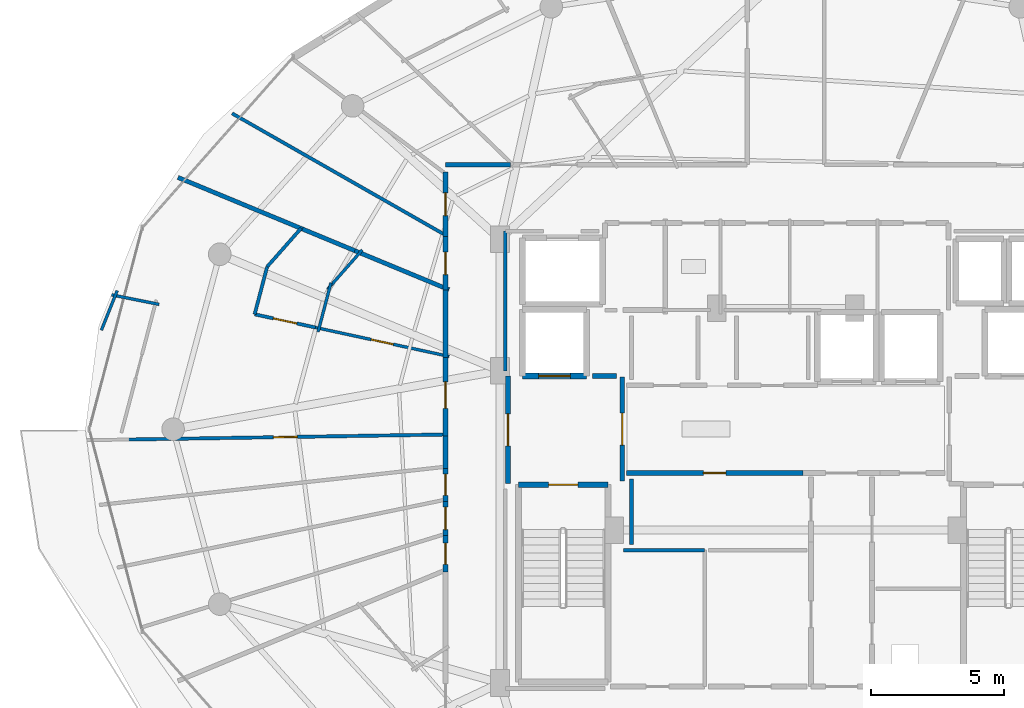
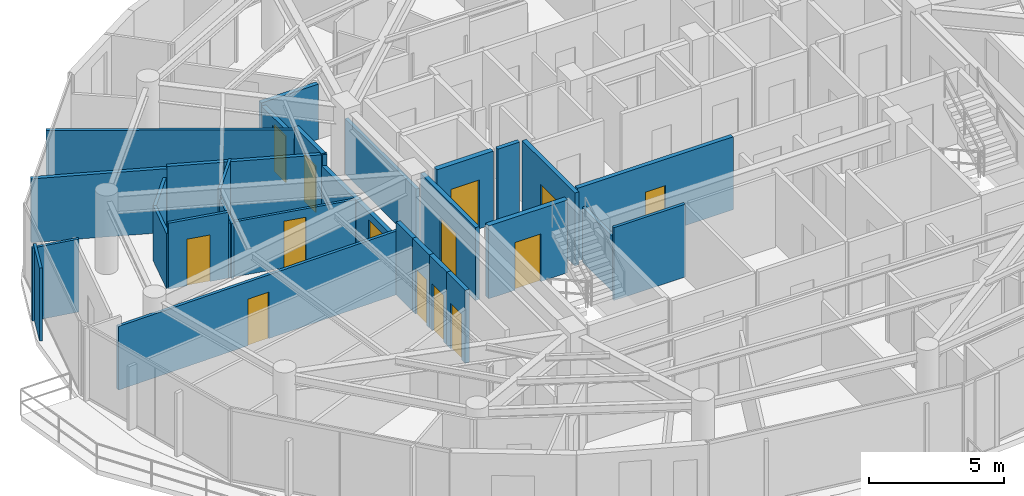
# One storey, part 24 of 31: 31 walls, 14 doors, 14 openings.
"""IFC4 building model written with IfcOpenShell, lengths in metres."""

from ifc_helpers import new_model, si_unit, direction, frame, frame_2d, origin, place, context, subcontext, project, spatial, rectangle, extrude, material, layer, layer_set, type_object, element, fill, save


model = new_model("IFC4")

# Units and contexts
model_context = context("Model", 3, precision=1e-05, world=origin(), true_north=direction((0.0, 1.0)))
body_context = subcontext(model_context, "Body", "Model", "MODEL_VIEW")
ifc_project = project(units=[si_unit("LENGTHUNIT", "METRE"), si_unit("AREAUNIT", "SQUARE_METRE"), si_unit("VOLUMEUNIT", "CUBIC_METRE"), si_unit("PLANEANGLEUNIT", "RADIAN"), si_unit("MASSUNIT", "GRAM", prefix="KILO")], contexts=[model_context])

# Site, building, storey
site_placement = place(None, origin())
site = spatial("IfcSite", under=ifc_project, at=site_placement, CompositionType="ELEMENT")
building_placement = place(site_placement, origin())
building = spatial("IfcBuilding", under=site, at=building_placement, Name="Vorneva Point Tower", CompositionType="ELEMENT")
storey_placement = place(building_placement, frame((0.0, 0.0, 248.449951171875)))
storey = spatial("IfcBuildingStorey", under=building, at=storey_placement, Name="L67", CompositionType="ELEMENT", Elevation=248.449951171875)

# Wall, opening, door
ifc_material_1 = material(Name="Concrete B60 (C50/60)", Category="concrete")
ifc_layer_1 = layer(ifc_material_1, 0.35009765625)
ifc_layer_set_1 = layer_set([ifc_layer_1], Name="Concrete B60 (C50/60)")
wall_type_1 = type_object("IfcWallType", Name="WL-CORE-350", PredefinedType="SHEAR", material=ifc_layer_set_1)
wall_1_placement = place(storey_placement, frame((28.10009765625, 28.0, 0.0), z_axis=(0.0, 0.0, 1.0), x_axis=(1.0, 0.0, 0.0)))
wall_1 = element("IfcWall", 1, at=wall_1_placement, inside=storey, type_object=wall_type_1, Name="L67 Lift FFL1 Shaft Wall -Y", PredefinedType="SHEAR", context=body_context, shape_type="SweptSolid", body=[
    extrude(rectangle(XDim=2.39990234375, YDim=0.219970703125, at=frame_2d((1.199951171875, 0.0))), origin(), (0.0, 0.0, 1.0), 3.2900390625),
])
opening_1_placement = place(wall_1_placement, frame((0.60009765625, 0.0, 0.0)))
opening_1 = element("IfcOpeningElement", 2, at=opening_1_placement, cuts=wall_1, Name="Opening LD-02", PredefinedType="OPENING", context=body_context, shape_type="SweptSolid", body=[
    extrude(rectangle(XDim=1.199951171875, YDim=2.199951171875, at=frame_2d((0.60009765625, 1.10009765625))), frame((0.0, 0.125, 0.0), z_axis=(0.0, -1.0, 0.0), x_axis=(1.0, 0.0, 0.0)), (0.0, 0.0, 1.0), 0.249755859375),
])
ifc_material_2 = material(Name="Brushed stainless steel S304", Category="steel")
door_type_1 = type_object("IfcDoorType", Name="LD-FIRE-1200", OperationType="SLIDING_TO_LEFT", PredefinedType="DOOR", material=ifc_material_2)
door_1_placement = place(opening_1_placement, origin())
door_1 = element("IfcDoor", 3, at=door_1_placement, inside=storey, type_object=door_type_1, Name="L67 Lift FFL1 Sliding Landing Door", OperationType="SLIDING_TO_LEFT", OverallHeight=2.199951171875, OverallWidth=1.199951171875, PredefinedType="DOOR", context=body_context, shape_type="SweptSolid", body=[
    extrude(rectangle(XDim=1.199951171875, YDim=2.199951171875, at=frame_2d((0.60009765625, 1.10009765625))), frame((0.0, 0.02490234375, 0.0), z_axis=(0.0, -1.0, 0.0), x_axis=(1.0, 0.0, 0.0)), (0.0, 0.0, 1.0), 0.050048828125),
])
fill(opening_1, door_1)

ifc_material_3 = material(Name="Fire-rated acoustic gypsum stud partition", Category="gypsum")
ifc_layer_2 = layer(ifc_material_3, 0.110107421875)
ifc_layer_set_2 = layer_set([ifc_layer_2], Name="Fire-rated acoustic gypsum stud partition")
wall_type_2 = type_object("IfcWallType", Name="WL-PART-110", PredefinedType="PARTITIONING", material=ifc_layer_set_2)
wall_2_placement = place(storey_placement, frame((25.3369140625, 28.73828125, 0.0), z_axis=(0.0, 0.0, 1.0), x_axis=(-0.977382932841, 0.211477191656, 0.0)))
wall_2 = element("IfcWall", 4, at=wall_2_placement, inside=storey, type_object=wall_type_2, Name="L67 Interior Partition 086", PredefinedType="PARTITIONING", context=body_context, shape_type="SweptSolid", body=[
    extrude(rectangle(XDim=5.151123046875, YDim=0.110107421875, at=frame_2d((2.57568359375, 0.0))), origin(), (0.0, 0.0, 1.0), 2.48193359375),
])
opening_2_placement = place(wall_2_placement, frame((2.150390625, 0.0, 0.0)))
opening_2 = element("IfcOpeningElement", 5, at=opening_2_placement, cuts=wall_2, Name="Opening ID-02", PredefinedType="OPENING", context=body_context, shape_type="SweptSolid", body=[
    extrude(rectangle(XDim=0.85009765625, YDim=2.10009765625, at=frame_2d((0.425048828125, 1.050048828125))), frame((0.0, 0.06982421875, 0.0), z_axis=(0.0, -1.0, 0.0), x_axis=(1.0, 0.0, 0.0)), (0.0, 0.0, 1.0), 0.139892578125),
])
ifc_material_4 = material(Name="Engineered oak fire-rated door leaf", Category="wood")
door_type_2 = type_object("IfcDoorType", Name="DR-BATH-850", OperationType="NOTDEFINED", PredefinedType="DOOR", material=ifc_material_4)
door_2_placement = place(opening_2_placement, origin())
door_2 = element("IfcDoor", 6, at=door_2_placement, inside=storey, type_object=door_type_2, Name="L67 Door Living and Dining Room L67-02 / Bathroom L67-02", OperationType="SINGLE_SWING_RIGHT", OverallHeight=2.10009765625, OverallWidth=0.85009765625, PredefinedType="DOOR", context=body_context, shape_type="SweptSolid", body=[
    extrude(rectangle(XDim=0.85009765625, YDim=2.10009765625, at=frame_2d((0.425048828125, 1.050048828125))), frame((0.0, 0.02490234375, 0.0), z_axis=(0.0, -1.0, 0.0), x_axis=(1.0, 0.0, 0.0)), (0.0, 0.0, 1.0), 0.050048828125),
])
fill(opening_2, door_2)

# Walls
wall_3_placement = place(storey_placement, frame((12.845947265625, 31.212890625, 0.0), z_axis=(0.0, 0.0, 1.0), x_axis=(-0.371522095559, -0.928424112414, 0.0)))
element("IfcWall", 7, at=wall_3_placement, inside=storey, type_object=wall_type_2, Name="L67 Interior Partition 087", PredefinedType="PARTITIONING", context=body_context, shape_type="SweptSolid", body=[
    extrude(rectangle(XDim=1.6015625, YDim=0.110107421875, at=frame_2d((0.80078125, 0.0))), origin(), (0.0, 0.0, 1.0), 3.2900390625),
])
wall_4_placement = place(storey_placement, frame((12.634765625, 31.053466796875, 0.0), z_axis=(0.0, 0.0, 1.0), x_axis=(0.980704252003, -0.195497238094, 0.0)))
element("IfcWall", 8, at=wall_4_placement, inside=storey, type_object=wall_type_2, Name="L67 Interior Partition 088", PredefinedType="PARTITIONING", context=body_context, shape_type="SweptSolid", body=[
    extrude(rectangle(XDim=1.82080078125, YDim=0.110107421875, at=frame_2d((0.910400390625, 0.0))), origin(), (0.0, 0.0, 1.0), 3.2900390625),
])
wall_5_placement = place(storey_placement, frame((22.065673828125, 32.743896484375, 0.0), z_axis=(0.0, 0.0, 1.0), x_axis=(-0.662047420969, -0.749461948593, 0.0)))
element("IfcWall", 9, at=wall_5_placement, inside=storey, type_object=wall_type_2, Name="L67 Interior Partition 094", PredefinedType="PARTITIONING", context=body_context, shape_type="SweptSolid", body=[
    extrude(rectangle(XDim=1.9716796875, YDim=0.110107421875, at=frame_2d((0.98583984375, 0.0))), origin(), (0.0, 0.0, 1.0), 2.97216796875),
])
wall_6_placement = place(storey_placement, frame((20.888671875, 31.50634765625, 0.0), z_axis=(0.0, 0.0, 1.0), x_axis=(-0.254568935897, -0.967054629727, 0.0)))
element("IfcWall", 10, at=wall_6_placement, inside=storey, type_object=wall_type_2, Name="L67 Interior Partition 095", PredefinedType="PARTITIONING", context=body_context, shape_type="SweptSolid", body=[
    extrude(rectangle(XDim=1.906494140625, YDim=0.110107421875, at=frame_2d((0.953125, 0.0))), origin(), (0.0, 0.0, 1.0), 2.48193359375),
])
ifc_layer_3 = layer(ifc_material_3, 0.125)
ifc_layer_set_3 = layer_set([ifc_layer_3], Name="Fire-rated acoustic gypsum stud partition")
wall_type_3 = type_object("IfcWallType", Name="WL-PART-125", PredefinedType="PARTITIONING", material=ifc_layer_set_3)
wall_7_placement = place(storey_placement, frame((34.949951171875, 21.449951171875, 0.0), z_axis=(0.0, 0.0, 1.0), x_axis=(-1.0, 0.0, 0.0)))
element("IfcWall", 11, at=wall_7_placement, inside=storey, type_object=wall_type_3, Name="L67 Interior Partition 034", PredefinedType="PARTITIONING", context=body_context, shape_type="SweptSolid", body=[
    extrude(rectangle(XDim=3.054931640625, YDim=0.125, at=frame_2d((1.52734375, 0.0))), origin(), (0.0, 0.0, 1.0), 3.2900390625),
])
wall_8_placement = place(storey_placement, frame((17.169921875, 37.881103515625, 0.0), z_axis=(0.0, 0.0, 1.0), x_axis=(0.868639415668, -0.495444815844, 0.0)))
element("IfcWall", 12, at=wall_8_placement, inside=storey, type_object=wall_type_3, Name="L67 Interior Partition 082", PredefinedType="PARTITIONING", context=body_context, shape_type="SweptSolid", body=[
    extrude(rectangle(XDim=9.244384765625, YDim=0.125, at=frame_2d((4.6220703125, 0.0))), origin(), (0.0, 0.0, 1.0), 2.8740234375),
])

# Wall, opening, door
wall_9_placement = place(storey_placement, frame((20.30224609375, 29.82763671875, 0.0), z_axis=(0.0, 0.0, 1.0), x_axis=(-0.977387924942, 0.211454118377, 0.0)))
wall_9 = element("IfcWall", 13, at=wall_9_placement, inside=storey, type_object=wall_type_3, Name="L67 Interior Partition 090", PredefinedType="PARTITIONING", context=body_context, shape_type="SweptSolid", body=[
    extrude(rectangle(XDim=2.338134765625, YDim=0.125, at=frame_2d((1.1689453125, 0.0))), origin(), (0.0, 0.0, 1.0), 2.97216796875),
])
opening_3_placement = place(wall_9_placement, frame((0.718994140625, 0.0, 0.0)))
opening_3 = element("IfcOpeningElement", 14, at=opening_3_placement, cuts=wall_9, Name="Opening ID-01", PredefinedType="OPENING", context=body_context, shape_type="SweptSolid", body=[
    extrude(rectangle(XDim=0.89990234375, YDim=2.10009765625, at=frame_2d((0.449951171875, 1.050048828125))), frame((0.0, 0.077392578125, 0.0), z_axis=(0.0, -1.0, 0.0), x_axis=(1.0, 0.0, 0.0)), (0.0, 0.0, 1.0), 0.15478515625),
])
door_type_3 = type_object("IfcDoorType", Name="DR-ROOM-900", OperationType="NOTDEFINED", PredefinedType="DOOR", material=ifc_material_4)
door_3_placement = place(opening_3_placement, origin())
door_3 = element("IfcDoor", 15, at=door_3_placement, inside=storey, type_object=door_type_3, Name="L67 Door Living and Dining Room L67-02 / Study Room L67-02", OperationType="SINGLE_SWING_RIGHT", OverallHeight=2.10009765625, OverallWidth=0.89990234375, PredefinedType="DOOR", context=body_context, shape_type="SweptSolid", body=[
    extrude(rectangle(XDim=0.89990234375, YDim=2.10009765625, at=frame_2d((0.449951171875, 1.050048828125))), frame((0.0, 0.02490234375, 0.0), z_axis=(0.0, -1.0, 0.0), x_axis=(1.0, 0.0, 0.0)), (0.0, 0.0, 1.0), 0.050048828125),
])
fill(opening_3, door_3)

# Walls
wall_10_placement = place(storey_placement, frame((18.01708984375, 30.322021484375, 0.0), z_axis=(0.0, 0.0, 1.0), x_axis=(0.254434866485, 0.967089912426, 0.0)))
element("IfcWall", 16, at=wall_10_placement, inside=storey, type_object=wall_type_3, Name="L67 Interior Partition 091", PredefinedType="PARTITIONING", context=body_context, shape_type="SweptSolid", body=[
    extrude(rectangle(XDim=1.85107421875, YDim=0.125, at=frame_2d((0.925537109375, 0.0))), origin(), (0.0, 0.0, 1.0), 2.48193359375),
])
wall_11_placement = place(storey_placement, frame((18.488037109375, 32.112060546875, 0.0), z_axis=(0.0, 0.0, 1.0), x_axis=(0.661856531983, 0.749630529709, 0.0)))
element("IfcWall", 17, at=wall_11_placement, inside=storey, type_object=wall_type_3, Name="L67 Interior Partition 092", PredefinedType="PARTITIONING", context=body_context, shape_type="SweptSolid", body=[
    extrude(rectangle(XDim=1.9248046875, YDim=0.125, at=frame_2d((0.96240234375, 0.0))), origin(), (0.0, 0.0, 1.0), 2.48193359375),
])

# Wall, opening, door
wall_12_placement = place(storey_placement, frame((13.14306640625, 25.60888671875, 0.0), z_axis=(0.0, 0.0, 1.0), x_axis=(0.999875613351, 0.015772058374, 0.0)))
wall_12 = element("IfcWall", 18, at=wall_12_placement, inside=storey, type_object=wall_type_3, Name="L67 Interior Partition 093", PredefinedType="PARTITIONING", context=body_context, shape_type="SweptSolid", body=[
    extrude(rectangle(XDim=12.058349609375, YDim=0.125, at=frame_2d((6.029296875, 0.0))), origin(), (0.0, 0.0, 1.0), 2.8740234375),
])
opening_4_placement = place(wall_12_placement, frame((5.5791015625, 0.0, 0.0)))
opening_4 = element("IfcOpeningElement", 19, at=opening_4_placement, cuts=wall_12, Name="Opening ID-01", PredefinedType="OPENING", context=body_context, shape_type="SweptSolid", body=[
    extrude(rectangle(XDim=0.89990234375, YDim=2.10009765625, at=frame_2d((0.449951171875, 1.050048828125))), frame((0.0, 0.077392578125, 0.0), z_axis=(0.0, -1.0, 0.0), x_axis=(1.0, 0.0, 0.0)), (0.0, 0.0, 1.0), 0.15478515625),
])
door_4_placement = place(opening_4_placement, origin())
door_4 = element("IfcDoor", 20, at=door_4_placement, inside=storey, type_object=door_type_3, Name="L67 Door Living and Dining Room L67-02 / Master Bedroom L67-02.1", OperationType="SINGLE_SWING_LEFT", OverallHeight=2.10009765625, OverallWidth=0.89990234375, PredefinedType="DOOR", context=body_context, shape_type="SweptSolid", body=[
    extrude(rectangle(XDim=0.89990234375, YDim=2.10009765625, at=frame_2d((0.449951171875, 1.050048828125))), frame((0.0, 0.02490234375, 0.0), z_axis=(0.0, -1.0, 0.0), x_axis=(1.0, 0.0, 0.0)), (0.0, 0.0, 1.0), 0.050048828125),
])
fill(opening_4, door_4)

# Walls
ifc_layer_4 = layer(ifc_material_3, 0.139892578125)
ifc_layer_set_4 = layer_set([ifc_layer_4], Name="Fire-rated acoustic gypsum stud partition")
wall_type_4 = type_object("IfcWallType", Name="WL-PART-140", PredefinedType="PARTITIONING", material=ifc_layer_set_4)
wall_13_placement = place(storey_placement, frame((32.199951171875, 24.1298828125, 0.0), z_axis=(0.0, 0.0, 1.0), x_axis=(0.0, -1.0, 0.0)))
element("IfcWall", 21, at=wall_13_placement, inside=storey, type_object=wall_type_4, Name="L67 Interior Closure Partition 136", PredefinedType="PARTITIONING", context=body_context, shape_type="SweptSolid", body=[
    extrude(rectangle(XDim=2.4599609375, YDim=0.139892578125, at=frame_2d((1.22998046875, 0.0))), origin(), (0.0, 0.0, 1.0), 2.48193359375),
])
wall_14_placement = place(storey_placement, frame((27.449951171875, 33.449951171875, 0.0), z_axis=(0.0, 0.0, 1.0), x_axis=(0.0, -1.0, 0.0)))
element("IfcWall", 22, at=wall_14_placement, inside=storey, type_object=wall_type_4, Name="L67 Interior Closure Partition 147", PredefinedType="PARTITIONING", context=body_context, shape_type="SweptSolid", body=[
    extrude(rectangle(XDim=5.25390625, YDim=0.139892578125, at=frame_2d((2.626953125, 0.0))), origin(), (0.0, 0.0, 1.0), 2.48193359375),
])
ifc_layer_5 = layer(ifc_material_3, 0.159912109375)
ifc_layer_set_5 = layer_set([ifc_layer_5], Name="Fire-rated acoustic gypsum stud partition")
wall_type_5 = type_object("IfcWallType", Name="WL-PART-160", PredefinedType="PARTITIONING", material=ifc_layer_set_5)
wall_15_placement = place(storey_placement, frame((15.133056640625, 35.471923828125, 0.0), z_axis=(0.0, 0.0, 1.0), x_axis=(0.923891232285, -0.382655185392, 0.0)))
element("IfcWall", 23, at=wall_15_placement, inside=storey, type_object=wall_type_5, Name="L67 Interior Partition 083", PredefinedType="PARTITIONING", context=body_context, shape_type="SweptSolid", body=[
    extrude(rectangle(XDim=5.069580078125, YDim=0.159912109375, at=frame_2d((2.53466796875, 0.0))), origin(), (0.0, 0.0, 1.0), 2.8740234375),
])
wall_16_placement = place(storey_placement, frame((21.78466796875, 32.716552734375, 0.0), z_axis=(0.0, 0.0, 1.0), x_axis=(0.923878783617, -0.382685240352, 0.0)))
element("IfcWall", 24, at=wall_16_placement, inside=storey, type_object=wall_type_5, Name="L67 Interior Partition 084", PredefinedType="PARTITIONING", context=body_context, shape_type="SweptSolid", body=[
    extrude(rectangle(XDim=3.836669921875, YDim=0.159912109375, at=frame_2d((1.91845703125, 0.0))), origin(), (0.0, 0.0, 1.0), 2.97216796875),
])
wall_17_placement = place(storey_placement, frame((19.81689453125, 33.53173828125, 0.0), z_axis=(0.0, 0.0, 1.0), x_axis=(0.92391905869, -0.382587993786, 0.0)))
element("IfcWall", 25, at=wall_17_placement, inside=storey, type_object=wall_type_5, Name="L67 Interior Partition 085", PredefinedType="PARTITIONING", context=body_context, shape_type="SweptSolid", body=[
    extrude(rectangle(XDim=2.130126953125, YDim=0.159912109375, at=frame_2d((1.06494140625, 0.0))), origin(), (0.0, 0.0, 1.0), 2.97216796875),
])

# Wall, opening, door
ifc_material_5 = material(Name="Autoclaved aerated concrete blockwork", Category="masonry")
ifc_layer_6 = layer(ifc_material_5, 0.179931640625)
ifc_layer_set_6 = layer_set([ifc_layer_6], Name="Autoclaved aerated concrete blockwork")
wall_type_6 = type_object("IfcWallType", Name="WL-PART-180", PredefinedType="PARTITIONING", material=ifc_layer_set_6)
wall_18_placement = place(storey_placement, frame((31.85009765625, 24.044921875, 0.0), z_axis=(0.0, 0.0, 1.0), x_axis=(0.0, 1.0, 0.0)))
wall_18 = element("IfcWall", 26, at=wall_18_placement, inside=storey, type_object=wall_type_6, Name="L67 Interior Partition 001", PredefinedType="PARTITIONING", context=body_context, shape_type="SweptSolid", body=[
    extrude(rectangle(XDim=3.91015625, YDim=0.179931640625, at=frame_2d((1.955078125, 0.0))), origin(), (0.0, 0.0, 1.0), 3.2900390625),
])
opening_5_placement = place(wall_18_placement, frame((1.35498046875, 0.0, 0.0)))
opening_5 = element("IfcOpeningElement", 27, at=opening_5_placement, cuts=wall_18, Name="Opening FD-02", PredefinedType="OPENING", context=body_context, shape_type="SweptSolid", body=[
    extrude(rectangle(XDim=1.199951171875, YDim=2.14990234375, at=frame_2d((0.60009765625, 1.074951171875))), frame((0.0, 0.10498046875, 0.0), z_axis=(0.0, -1.0, 0.0), x_axis=(1.0, 0.0, 0.0)), (0.0, 0.0, 1.0), 0.209716796875),
])
ifc_material_6 = material(Name="Fire-rated powder-coated steel", Category="steel")
door_type_4 = type_object("IfcDoorType", Name="DR-FFL-1200", OperationType="NOTDEFINED", PredefinedType="DOOR", material=ifc_material_6)
door_5_placement = place(opening_5_placement, origin())
door_5 = element("IfcDoor", 28, at=door_5_placement, inside=storey, type_object=door_type_4, Name="L67 Door West Firefighting Lobby / Central Lift Lobby", OperationType="SINGLE_SWING_LEFT", OverallHeight=2.14990234375, OverallWidth=1.199951171875, PredefinedType="DOOR", context=body_context, shape_type="SweptSolid", body=[
    extrude(rectangle(XDim=1.199951171875, YDim=2.14990234375, at=frame_2d((0.60009765625, 1.074951171875))), frame((0.0, 0.02490234375, 0.0), z_axis=(0.0, -1.0, 0.0), x_axis=(1.0, 0.0, 0.0)), (0.0, 0.0, 1.0), 0.050048828125),
])
fill(opening_5, door_5)

wall_19_placement = place(storey_placement, frame((27.550048828125, 28.0, 0.0), z_axis=(0.0, 0.0, 1.0), x_axis=(0.0, -1.0, 0.0)))
wall_19 = element("IfcWall", 29, at=wall_19_placement, inside=storey, type_object=wall_type_6, Name="L67 Interior Partition 002", PredefinedType="PARTITIONING", context=body_context, shape_type="SweptSolid", body=[
    extrude(rectangle(XDim=4.050048828125, YDim=0.179931640625, at=frame_2d((2.02490234375, 0.0))), origin(), (0.0, 0.0, 1.0), 3.2900390625),
])
opening_6_placement = place(wall_19_placement, frame((1.425048828125, 0.0, 0.0)))
opening_6 = element("IfcOpeningElement", 30, at=opening_6_placement, cuts=wall_19, Name="Opening FD-02", PredefinedType="OPENING", context=body_context, shape_type="SweptSolid", body=[
    extrude(rectangle(XDim=1.199951171875, YDim=2.14990234375, at=frame_2d((0.60009765625, 1.074951171875))), frame((0.0, 0.10498046875, 0.0), z_axis=(0.0, -1.0, 0.0), x_axis=(1.0, 0.0, 0.0)), (0.0, 0.0, 1.0), 0.209716796875),
])
door_6_placement = place(opening_6_placement, origin())
door_6 = element("IfcDoor", 31, at=door_6_placement, inside=storey, type_object=door_type_4, Name="L67 Door West Firefighting Lobby / L67 Circulation Corridor", OperationType="SINGLE_SWING_RIGHT", OverallHeight=2.14990234375, OverallWidth=1.199951171875, PredefinedType="DOOR", context=body_context, shape_type="SweptSolid", body=[
    extrude(rectangle(XDim=1.199951171875, YDim=2.14990234375, at=frame_2d((0.60009765625, 1.074951171875))), frame((0.0, 0.02490234375, 0.0), z_axis=(0.0, -1.0, 0.0), x_axis=(1.0, 0.0, 0.0)), (0.0, 0.0, 1.0), 0.050048828125),
])
fill(opening_6, door_6)

wall_20_placement = place(storey_placement, frame((32.0, 24.35009765625, 0.0), z_axis=(0.0, 0.0, 1.0), x_axis=(1.0, 0.0, 0.0)))
wall_20 = element("IfcWall", 32, at=wall_20_placement, inside=storey, type_object=wall_type_6, Name="L67 Interior Partition 014", PredefinedType="PARTITIONING", context=body_context, shape_type="SweptSolid", body=[
    extrude(rectangle(XDim=6.64501953125, YDim=0.179931640625, at=frame_2d((3.322509765625, 0.0))), origin(), (0.0, 0.0, 1.0), 3.2900390625),
])
opening_7_placement = place(wall_20_placement, frame((2.8974609375, 0.0, 0.0)))
opening_7 = element("IfcOpeningElement", 33, at=opening_7_placement, cuts=wall_20, Name="Opening ID-02", PredefinedType="OPENING", context=body_context, shape_type="SweptSolid", body=[
    extrude(rectangle(XDim=0.85009765625, YDim=2.10009765625, at=frame_2d((0.425048828125, 1.050048828125))), frame((0.0, 0.10498046875, 0.0), z_axis=(0.0, -1.0, 0.0), x_axis=(1.0, 0.0, 0.0)), (0.0, 0.0, 1.0), 0.209716796875),
])
door_7_placement = place(opening_7_placement, origin())
door_7 = element("IfcDoor", 34, at=door_7_placement, inside=storey, type_object=door_type_2, Name="L67 Door Central Lift Lobby / Reclaimed High-Zone Wine Vault", OperationType="SINGLE_SWING_RIGHT", OverallHeight=2.10009765625, OverallWidth=0.85009765625, PredefinedType="DOOR", context=body_context, shape_type="SweptSolid", body=[
    extrude(rectangle(XDim=0.85009765625, YDim=2.10009765625, at=frame_2d((0.425048828125, 1.050048828125))), frame((0.0, 0.02490234375, 0.0), z_axis=(0.0, -1.0, 0.0), x_axis=(1.0, 0.0, 0.0)), (0.0, 0.0, 1.0), 0.050048828125),
])
fill(opening_7, door_7)

# Wall
wall_21_placement = place(storey_placement, frame((27.64599609375, 35.949951171875, 0.0), z_axis=(0.0, 0.0, 1.0), x_axis=(-1.0, 0.0, 0.0)))
element("IfcWall", 35, at=wall_21_placement, inside=storey, type_object=wall_type_6, Name="L67 Interior Partition 040", PredefinedType="PARTITIONING", context=body_context, shape_type="SweptSolid", body=[
    extrude(rectangle(XDim=2.446044921875, YDim=0.179931640625, at=frame_2d((1.22314453125, 0.0))), origin(), (0.0, 0.0, 1.0), 2.48193359375),
])

# Wall, opening, door
wall_22_placement = place(storey_placement, frame((25.199951171875, 35.68603515625, 0.0), z_axis=(0.0, 0.0, 1.0), x_axis=(0.0, -1.0, 0.0)))
wall_22 = element("IfcWall", 36, at=wall_22_placement, inside=storey, type_object=wall_type_6, Name="L67 Interior Partition 041", PredefinedType="PARTITIONING", context=body_context, shape_type="SweptSolid", body=[
    extrude(rectangle(XDim=2.445068359375, YDim=0.179931640625, at=frame_2d((1.22265625, 0.0))), origin(), (0.0, 0.0, 1.0), 2.48193359375),
])
opening_8_placement = place(wall_22_placement, frame((0.797607421875, 0.0, 0.0)))
opening_8 = element("IfcOpeningElement", 37, at=opening_8_placement, cuts=wall_22, Name="Opening ID-02", PredefinedType="OPENING", context=body_context, shape_type="SweptSolid", body=[
    extrude(rectangle(XDim=0.85009765625, YDim=2.10009765625, at=frame_2d((0.425048828125, 1.050048828125))), frame((0.0, 0.10498046875, 0.0), z_axis=(0.0, -1.0, 0.0), x_axis=(1.0, 0.0, 0.0)), (0.0, 0.0, 1.0), 0.209716796875),
])
door_8_placement = place(opening_8_placement, origin())
door_8 = element("IfcDoor", 38, at=door_8_placement, inside=storey, type_object=door_type_2, Name="L67 Access Door L67 Circulation Corridor", OperationType="SINGLE_SWING_LEFT", OverallHeight=2.10009765625, OverallWidth=0.85009765625, PredefinedType="DOOR", context=body_context, shape_type="SweptSolid", body=[
    extrude(rectangle(XDim=0.85009765625, YDim=2.10009765625, at=frame_2d((0.425048828125, 1.050048828125))), frame((0.0, 0.02490234375, 0.0), z_axis=(0.0, -1.0, 0.0), x_axis=(1.0, 0.0, 0.0)), (0.0, 0.0, 1.0), 0.050048828125),
])
fill(opening_8, door_8)

wall_23_placement = place(storey_placement, frame((25.199951171875, 33.240966796875, 0.0), z_axis=(0.0, 0.0, 1.0), x_axis=(0.0, -1.0, 0.0)))
wall_23 = element("IfcWall", 39, at=wall_23_placement, inside=storey, type_object=wall_type_6, Name="L67 Interior Partition 042", PredefinedType="PARTITIONING", context=body_context, shape_type="SweptSolid", body=[
    extrude(rectangle(XDim=1.9990234375, YDim=0.179931640625, at=frame_2d((0.99951171875, 0.0))), origin(), (0.0, 0.0, 1.0), 3.02197265625),
])
opening_9_placement = place(wall_23_placement, frame((0.574462890625, 0.0, 0.0)))
opening_9 = element("IfcOpeningElement", 40, at=opening_9_placement, cuts=wall_23, Name="Opening ID-02", PredefinedType="OPENING", context=body_context, shape_type="SweptSolid", body=[
    extrude(rectangle(XDim=0.85009765625, YDim=2.10009765625, at=frame_2d((0.425048828125, 1.050048828125))), frame((0.0, 0.10498046875, 0.0), z_axis=(0.0, -1.0, 0.0), x_axis=(1.0, 0.0, 0.0)), (0.0, 0.0, 1.0), 0.209716796875),
])
door_9_placement = place(opening_9_placement, origin())
door_9 = element("IfcDoor", 41, at=door_9_placement, inside=storey, type_object=door_type_2, Name="L67 Access Door L67 Circulation Corridor", OperationType="SINGLE_SWING_RIGHT", OverallHeight=2.10009765625, OverallWidth=0.85009765625, PredefinedType="DOOR", context=body_context, shape_type="SweptSolid", body=[
    extrude(rectangle(XDim=0.85009765625, YDim=2.10009765625, at=frame_2d((0.425048828125, 1.050048828125))), frame((0.0, 0.02490234375, 0.0), z_axis=(0.0, -1.0, 0.0), x_axis=(1.0, 0.0, 0.0)), (0.0, 0.0, 1.0), 0.050048828125),
])
fill(opening_9, door_9)

wall_24_placement = place(storey_placement, frame((25.199951171875, 28.8291015625, 0.0), z_axis=(0.0, 0.0, 1.0), x_axis=(0.0, -1.0, 0.0)))
wall_24 = element("IfcWall", 42, at=wall_24_placement, inside=storey, type_object=wall_type_6, Name="L67 Interior Partition 043", PredefinedType="PARTITIONING", context=body_context, shape_type="SweptSolid", body=[
    extrude(rectangle(XDim=3.090087890625, YDim=0.179931640625, at=frame_2d((1.544921875, 0.0))), origin(), (0.0, 0.0, 1.0), 2.48193359375),
])
opening_10_placement = place(wall_24_placement, frame((1.044921875, 0.0, 0.0)))
opening_10 = element("IfcOpeningElement", 43, at=opening_10_placement, cuts=wall_24, Name="Opening UD-01", PredefinedType="OPENING", context=body_context, shape_type="SweptSolid", body=[
    extrude(rectangle(XDim=1.0, YDim=2.14990234375, at=frame_2d((0.5, 1.074951171875))), frame((0.0, 0.10498046875, 0.0), z_axis=(0.0, -1.0, 0.0), x_axis=(1.0, 0.0, 0.0)), (0.0, 0.0, 1.0), 0.209716796875),
])
door_type_5 = type_object("IfcDoorType", Name="DR-UNIT-1000", OperationType="NOTDEFINED", PredefinedType="DOOR", material=ifc_material_4)
door_10_placement = place(opening_10_placement, origin())
door_10 = element("IfcDoor", 44, at=door_10_placement, inside=storey, type_object=door_type_5, Name="L67 Door L67 Circulation Corridor / Living and Dining Room L67-02", OperationType="SINGLE_SWING_RIGHT", OverallHeight=2.14990234375, OverallWidth=1.0, PredefinedType="DOOR", context=body_context, shape_type="SweptSolid", body=[
    extrude(rectangle(XDim=1.0, YDim=2.14990234375, at=frame_2d((0.5, 1.074951171875))), frame((0.0, 0.02490234375, 0.0), z_axis=(0.0, -1.0, 0.0), x_axis=(1.0, 0.0, 0.0)), (0.0, 0.0, 1.0), 0.050048828125),
])
fill(opening_10, door_10)

# Walls
wall_25_placement = place(storey_placement, frame((25.199951171875, 31.382080078125, 0.0), z_axis=(0.0, 0.0, 1.0), x_axis=(0.0, -1.0, 0.0)))
element("IfcWall", 45, at=wall_25_placement, inside=storey, type_object=wall_type_6, Name="L67 Interior Partition 044", PredefinedType="PARTITIONING", context=body_context, shape_type="SweptSolid", body=[
    extrude(rectangle(XDim=2.693115234375, YDim=0.179931640625, at=frame_2d((1.3466796875, 0.0))), origin(), (0.0, 0.0, 1.0), 2.48193359375),
])
wall_26_placement = place(storey_placement, frame((25.199951171875, 25.739013671875, 0.0), z_axis=(0.0, 0.0, 1.0), x_axis=(0.0, -1.0, 0.0)))
element("IfcWall", 46, at=wall_26_placement, inside=storey, type_object=wall_type_6, Name="L67 Interior Partition 045", PredefinedType="PARTITIONING", context=body_context, shape_type="SweptSolid", body=[
    extrude(rectangle(XDim=1.2119140625, YDim=0.179931640625, at=frame_2d((0.60595703125, 0.0))), origin(), (0.0, 0.0, 1.0), 3.2900390625),
])

# Wall, opening, door
wall_27_placement = place(storey_placement, frame((25.199951171875, 24.527099609375, 0.0), z_axis=(0.0, 0.0, 1.0), x_axis=(0.0, -1.0, 0.0)))
wall_27 = element("IfcWall", 47, at=wall_27_placement, inside=storey, type_object=wall_type_6, Name="L67 Interior Partition 046", PredefinedType="PARTITIONING", context=body_context, shape_type="SweptSolid", body=[
    extrude(rectangle(XDim=1.239013671875, YDim=0.179931640625, at=frame_2d((0.61962890625, 0.0))), origin(), (0.0, 0.0, 1.0), 3.2900390625),
])
opening_11_placement = place(wall_27_placement, frame((0.219482421875, 0.0, 0.0)))
opening_11 = element("IfcOpeningElement", 48, at=opening_11_placement, cuts=wall_27, Name="Opening RD-01", PredefinedType="OPENING", context=body_context, shape_type="SweptSolid", body=[
    extrude(rectangle(XDim=0.800048828125, YDim=2.050048828125, at=frame_2d((0.39990234375, 1.02490234375))), frame((0.0, 0.10498046875, 0.0), z_axis=(0.0, -1.0, 0.0), x_axis=(1.0, 0.0, 0.0)), (0.0, 0.0, 1.0), 0.209716796875),
])
door_type_6 = type_object("IfcDoorType", Name="DR-RSR-800", OperationType="SINGLE_SWING_LEFT", PredefinedType="DOOR", material=ifc_material_6)
door_11_placement = place(opening_11_placement, origin())
door_11 = element("IfcDoor", 49, at=door_11_placement, inside=storey, type_object=door_type_6, Name="L67 Access Door L67 Circulation Corridor", OperationType="SINGLE_SWING_RIGHT", OverallHeight=2.050048828125, OverallWidth=0.800048828125, PredefinedType="DOOR", context=body_context, shape_type="SweptSolid", body=[
    extrude(rectangle(XDim=0.800048828125, YDim=2.050048828125, at=frame_2d((0.39990234375, 1.02490234375))), frame((0.0, 0.02490234375, 0.0), z_axis=(0.0, -1.0, 0.0), x_axis=(1.0, 0.0, 0.0)), (0.0, 0.0, 1.0), 0.050048828125),
])
fill(opening_11, door_11)

wall_28_placement = place(storey_placement, frame((25.199951171875, 23.2880859375, 0.0), z_axis=(0.0, 0.0, 1.0), x_axis=(0.0, -1.0, 0.0)))
wall_28 = element("IfcWall", 50, at=wall_28_placement, inside=storey, type_object=wall_type_6, Name="L67 Interior Partition 047", PredefinedType="PARTITIONING", context=body_context, shape_type="SweptSolid", body=[
    extrude(rectangle(XDim=1.2890625, YDim=0.179931640625, at=frame_2d((0.64453125, 0.0))), origin(), (0.0, 0.0, 1.0), 3.2900390625),
])
opening_12_placement = place(wall_28_placement, frame((0.219482421875, 0.0, 0.0)))
opening_12 = element("IfcOpeningElement", 51, at=opening_12_placement, cuts=wall_28, Name="Opening ID-02", PredefinedType="OPENING", context=body_context, shape_type="SweptSolid", body=[
    extrude(rectangle(XDim=0.85009765625, YDim=2.10009765625, at=frame_2d((0.425048828125, 1.050048828125))), frame((0.0, 0.10498046875, 0.0), z_axis=(0.0, -1.0, 0.0), x_axis=(1.0, 0.0, 0.0)), (0.0, 0.0, 1.0), 0.209716796875),
])
door_12_placement = place(opening_12_placement, origin())
door_12 = element("IfcDoor", 52, at=door_12_placement, inside=storey, type_object=door_type_2, Name="L67 Access Door L67 Circulation Corridor", OperationType="SINGLE_SWING_LEFT", OverallHeight=2.10009765625, OverallWidth=0.85009765625, PredefinedType="DOOR", context=body_context, shape_type="SweptSolid", body=[
    extrude(rectangle(XDim=0.85009765625, YDim=2.10009765625, at=frame_2d((0.425048828125, 1.050048828125))), frame((0.0, 0.02490234375, 0.0), z_axis=(0.0, -1.0, 0.0), x_axis=(1.0, 0.0, 0.0)), (0.0, 0.0, 1.0), 0.050048828125),
])
fill(opening_12, door_12)

wall_29_placement = place(storey_placement, frame((25.199951171875, 21.9990234375, 0.0), z_axis=(0.0, 0.0, 1.0), x_axis=(0.0, -1.0, 0.0)))
wall_29 = element("IfcWall", 53, at=wall_29_placement, inside=storey, type_object=wall_type_6, Name="L67 Interior Partition 048", PredefinedType="PARTITIONING", context=body_context, shape_type="SweptSolid", body=[
    extrude(rectangle(XDim=1.365966796875, YDim=0.179931640625, at=frame_2d((0.68310546875, 0.0))), origin(), (0.0, 0.0, 1.0), 3.2900390625),
])
opening_13_placement = place(wall_29_placement, frame((0.282958984375, 0.0, 0.0)))
opening_13 = element("IfcOpeningElement", 54, at=opening_13_placement, cuts=wall_29, Name="Opening RD-01", PredefinedType="OPENING", context=body_context, shape_type="SweptSolid", body=[
    extrude(rectangle(XDim=0.800048828125, YDim=2.050048828125, at=frame_2d((0.39990234375, 1.02490234375))), frame((0.0, 0.10498046875, 0.0), z_axis=(0.0, -1.0, 0.0), x_axis=(1.0, 0.0, 0.0)), (0.0, 0.0, 1.0), 0.209716796875),
])
door_13_placement = place(opening_13_placement, origin())
door_13 = element("IfcDoor", 55, at=door_13_placement, inside=storey, type_object=door_type_6, Name="L67 Access Door L67 Circulation Corridor", OperationType="SINGLE_SWING_LEFT", OverallHeight=2.050048828125, OverallWidth=0.800048828125, PredefinedType="DOOR", context=body_context, shape_type="SweptSolid", body=[
    extrude(rectangle(XDim=0.800048828125, YDim=2.050048828125, at=frame_2d((0.39990234375, 1.02490234375))), frame((0.0, 0.02490234375, 0.0), z_axis=(0.0, -1.0, 0.0), x_axis=(1.0, 0.0, 0.0)), (0.0, 0.0, 1.0), 0.050048828125),
])
fill(opening_13, door_13)

# Wall
wall_30_placement = place(storey_placement, frame((31.635009765625, 28.0, 0.0), z_axis=(0.0, 0.0, 1.0), x_axis=(-1.0, 0.0, 0.0)))
element("IfcWall", 56, at=wall_30_placement, inside=storey, type_object=wall_type_6, Name="L67 Interior Closure Partition 128", PredefinedType="PARTITIONING", context=body_context, shape_type="SweptSolid", body=[
    extrude(rectangle(XDim=0.9150390625, YDim=0.179931640625, at=frame_2d((0.45751953125, 0.0))), origin(), (0.0, 0.0, 1.0), 3.2900390625),
])

# Wall, opening, door
ifc_material_7 = material(Name="Concrete B50 (C40/50)", Category="concrete")
ifc_layer_7 = layer(ifc_material_7, 0.219970703125)
ifc_layer_set_7 = layer_set([ifc_layer_7], Name="Concrete B50 (C40/50)")
wall_type_7 = type_object("IfcWallType", Name="WL-SHFT-220", PredefinedType="SOLIDWALL", material=ifc_layer_set_7)
wall_31_placement = place(storey_placement, frame((27.93994140625, 23.909912109375, 0.0), z_axis=(0.0, 0.0, 1.0), x_axis=(1.0, 0.0, 0.0)))
wall_31 = element("IfcWall", 57, at=wall_31_placement, inside=storey, type_object=wall_type_7, Name="L67 Exit Stair ST1 Shaft Wall near", PredefinedType="SOLIDWALL", context=body_context, shape_type="SweptSolid", body=[
    extrude(rectangle(XDim=3.3701171875, YDim=0.219970703125, at=frame_2d((1.68505859375, 0.0))), origin(), (0.0, 0.0, 1.0), 3.2900390625),
])
opening_14_placement = place(wall_31_placement, frame((1.135009765625, 0.0, 0.0)))
opening_14 = element("IfcOpeningElement", 58, at=opening_14_placement, cuts=wall_31, Name="Opening FD-01", PredefinedType="OPENING", context=body_context, shape_type="SweptSolid", body=[
    extrude(rectangle(XDim=1.10009765625, YDim=2.14990234375, at=frame_2d((0.550048828125, 1.074951171875))), frame((0.0, 0.125, 0.0), z_axis=(0.0, -1.0, 0.0), x_axis=(1.0, 0.0, 0.0)), (0.0, 0.0, 1.0), 0.249755859375),
])
door_type_7 = type_object("IfcDoorType", Name="DR-STAIR-1100", OperationType="NOTDEFINED", PredefinedType="DOOR", material=ifc_material_6)
door_14_placement = place(opening_14_placement, origin())
door_14 = element("IfcDoor", 59, at=door_14_placement, inside=storey, type_object=door_type_7, Name="L67 Exit Stair ST1 Fire Door", OperationType="SINGLE_SWING_LEFT", OverallHeight=2.14990234375, OverallWidth=1.10009765625, PredefinedType="DOOR", context=body_context, shape_type="SweptSolid", body=[
    extrude(rectangle(XDim=1.10009765625, YDim=2.14990234375, at=frame_2d((0.550048828125, 1.074951171875))), frame((0.0, 0.02490234375, 0.0), z_axis=(0.0, -1.0, 0.0), x_axis=(1.0, 0.0, 0.0)), (0.0, 0.0, 1.0), 0.050048828125),
])
fill(opening_14, door_14)

save(model, "model.ifc")
